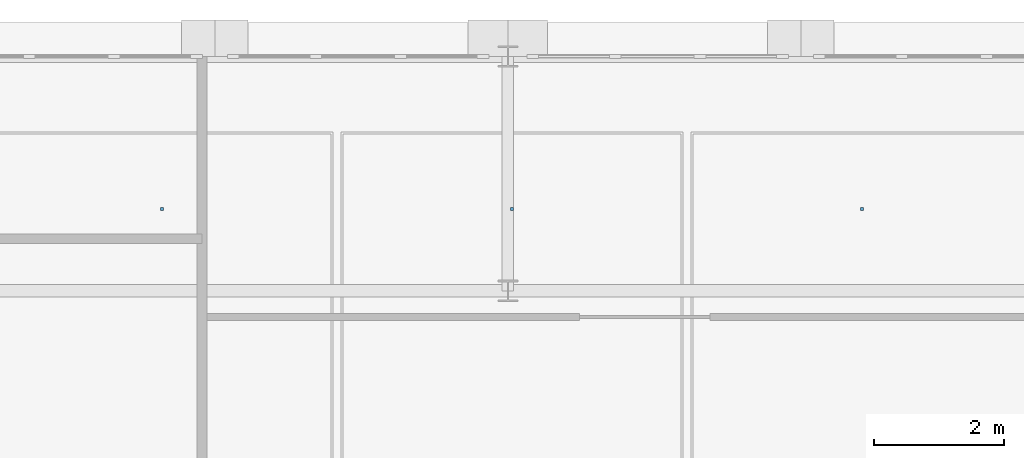
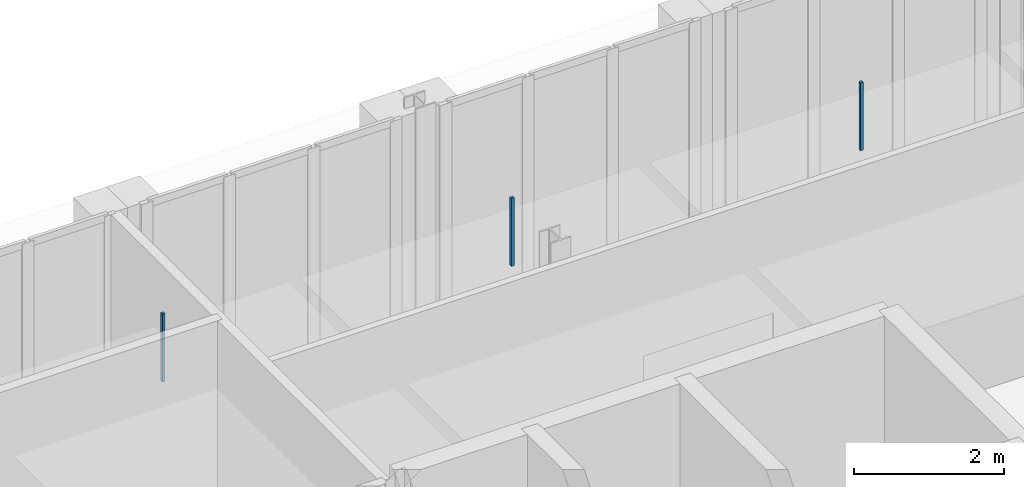
# One storey, part 70 of 89: 3 discrete accessories.
"""IFC4 building model written with IfcOpenShell, lengths in metres."""

from ifc_helpers import new_model, si_unit, direction, frame, origin, origin_2d, place, context, subcontext, project, spatial, rectangle, extrude, material, type_object, element, save


model = new_model("IFC4")

# Units and contexts
model_context = context("Model", 3, precision=1e-05, world=origin(), true_north=direction((0.0, 1.0)))
body_context = subcontext(model_context, "Body", "Model", "MODEL_VIEW")
ifc_project = project(units=[si_unit("LENGTHUNIT", "METRE"), si_unit("AREAUNIT", "SQUARE_METRE"), si_unit("VOLUMEUNIT", "CUBIC_METRE"), si_unit("PLANEANGLEUNIT", "RADIAN"), si_unit("MASSUNIT", "GRAM", prefix="KILO"), si_unit("THERMODYNAMICTEMPERATUREUNIT", "KELVIN"), si_unit("POWERUNIT", "WATT")], contexts=[model_context])

# Site, building, storey
site_placement = place(None, origin())
site = spatial("IfcSite", under=ifc_project, at=site_placement, CompositionType="ELEMENT")
building_placement = place(site_placement, origin())
building = spatial("IfcBuilding", under=site, at=building_placement, Name="Tallowbark Science Centre", CompositionType="ELEMENT")
storey_placement = place(building_placement, frame((0.0, 0.0, 14.39990234375)))
storey = spatial("IfcBuildingStorey", under=building, at=storey_placement, Name="L03", CompositionType="ELEMENT", Elevation=14.39990234375)

# Discrete accessories
ifc_material = material(Name="Galvanised Steel Grade C350L0 (350 MPa)", Category="steel")
discrete_accessory_type = type_object("IfcDiscreteAccessoryType", Name="ACC-CLG-HNG", PredefinedType="BRACKET", material=ifc_material)
for number, where, z_axis, x_axis, name in (
    (1, (116.1875, 109.2548828125, 3.2060546875), (0.0, 0.0, 1.0), (1.0, 0.0, 0.0), "Ceiling Hanger Bracket L03-1034"),
    (2, (121.5625, 109.2548828125, 3.2060546875), (0.0, 0.0, 1.0), (1.0, 0.0, 0.0), "Ceiling Hanger Bracket L03-1036"),
    (3, (126.9375, 109.2548828125, 3.2060546875), (0.0, 0.0, 1.0), (1.0, 0.0, 0.0), "Ceiling Hanger Bracket L03-1038"),
):
    element("IfcDiscreteAccessory", number, at=place(storey_placement, frame(where, z_axis=z_axis, x_axis=x_axis)), inside=storey, type_object=discrete_accessory_type, Name=name, PredefinedType="BRACKET", context=body_context, shape_type="SweptSolid", body=[
        extrude(rectangle(XDim=0.044921875, YDim=0.044921875, at=origin_2d()), origin(), (0.0, 0.0, 1.0), 1.10693359375),
    ])

save(model, "model.ifc")
